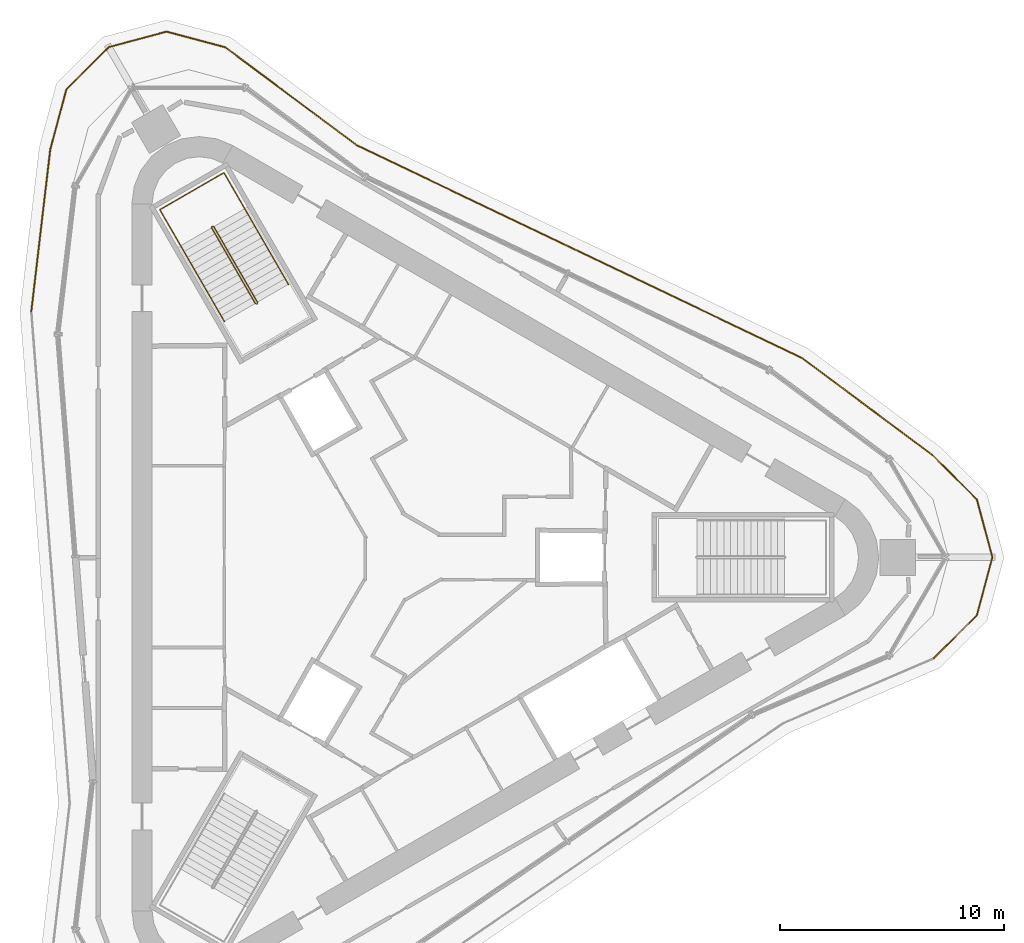
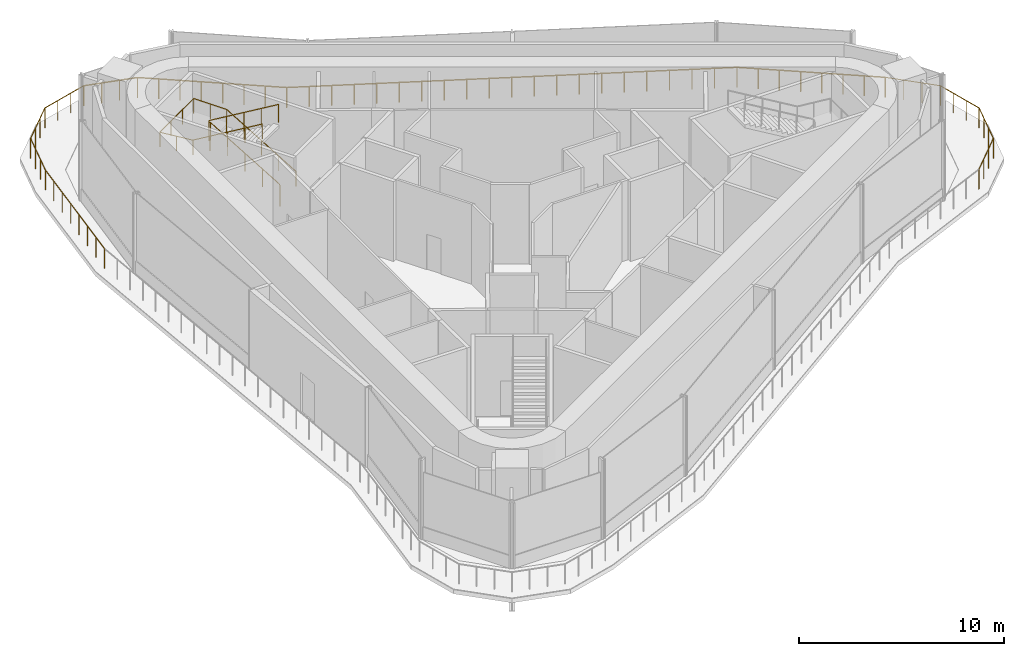
# One storey, part 9 of 9: 10 railings.
"""IFC4 building model written with IfcOpenShell, lengths in metres."""

from ifc_helpers import new_model, si_unit, direction, frame, origin, origin_2d, place, context, subcontext, project, spatial, circle, extrude, material, type_object, element, save


model = new_model("IFC4")

# Units and contexts
model_context = context("Model", 3, precision=1e-05, world=origin(), true_north=direction((0.0, 1.0)))
body_context = subcontext(model_context, "Body", "Model", "MODEL_VIEW")
ifc_project = project(units=[si_unit("LENGTHUNIT", "METRE"), si_unit("AREAUNIT", "SQUARE_METRE"), si_unit("VOLUMEUNIT", "CUBIC_METRE"), si_unit("PLANEANGLEUNIT", "RADIAN"), si_unit("MASSUNIT", "GRAM", prefix="KILO")], contexts=[model_context])

# Site, building, storey
site_placement = place(None, origin())
site = spatial("IfcSite", under=ifc_project, at=site_placement, CompositionType="ELEMENT")
building_placement = place(site_placement, origin())
building = spatial("IfcBuilding", under=site, at=building_placement, Name="Tanit Gate Tower", CompositionType="ELEMENT")
storey_placement = place(building_placement, frame((0.0, 0.0, 430.300048828125)))
storey = spatial("IfcBuildingStorey", under=building, at=storey_placement, Name="L97", CompositionType="ELEMENT", Elevation=430.300048828125)

# Railings
ifc_material_1 = material(Name="Stainless steel", Category="steel")
railing_type_1 = type_object("IfcRailingType", Name="Guard 1200 terrace balustrade", PredefinedType="GUARDRAIL", material=ifc_material_1)
railing_1_placement = place(storey_placement, frame((23.6171875, 4.54150390625, 0.0400390625)))
element("IfcRailing", 1, at=railing_1_placement, inside=storey, type_object=railing_type_1, Name="Terrace guard L97 1", PredefinedType="GUARDRAIL", context=body_context, shape_type="SweptSolid", body=[
    extrude(circle(Radius=0.02392578125, at=origin_2d()), frame((0.0, 0.0, 1.17578125), z_axis=(0.707106781187, -0.707106781187, 0.0), x_axis=(0.707106781187, 0.707106781187, 0.0)), (0.0, 0.0, 1.0), 2.77099609375),
    extrude(circle(Radius=0.02392578125, at=origin_2d()), frame((1.95947265625, -1.95947265625, 1.17578125), z_axis=(0.258748259402, -0.965944790481, 0.0), x_axis=(0.965944790481, 0.258748259402, 0.0)), (0.0, 0.0, 1.0), 2.673095703125),
    extrude(circle(Radius=0.02099609375, at=origin_2d()), origin(), (0.0, 0.0, 1.0), 1.15185546875),
    extrude(circle(Radius=0.02099609375, at=origin_2d()), frame((0.653076171875, -0.653076171875, 0.0)), (0.0, 0.0, 1.0), 1.15185546875),
    extrude(circle(Radius=0.02099609375, at=origin_2d()), frame((1.306396484375, -1.306396484375, 0.0)), (0.0, 0.0, 1.0), 1.15185546875),
    extrude(circle(Radius=0.02099609375, at=origin_2d()), frame((1.95947265625, -1.95947265625, 0.0)), (0.0, 0.0, 1.0), 1.15185546875),
    extrude(circle(Radius=0.02099609375, at=origin_2d()), frame((2.18994140625, -2.820068359375, 0.0)), (0.0, 0.0, 1.0), 1.15185546875),
    extrude(circle(Radius=0.02099609375, at=origin_2d()), frame((2.420654296875, -3.680908203125, 0.0)), (0.0, 0.0, 1.0), 1.15185546875),
    extrude(circle(Radius=0.02099609375, at=origin_2d()), frame((2.651123046875, -4.54150390625, 0.0)), (0.0, 0.0, 1.0), 1.15185546875),
])
railing_2_placement = place(storey_placement, frame((26.268310546875, 0.0, 0.0400390625)))
element("IfcRailing", 2, at=railing_2_placement, inside=storey, type_object=railing_type_1, Name="Terrace guard L97 1", PredefinedType="GUARDRAIL", context=body_context, shape_type="SweptSolid", body=[
    extrude(circle(Radius=0.02392578125, at=origin_2d()), frame((0.0, 0.0, 1.17578125), z_axis=(-0.258748259402, -0.965944790481, 0.0), x_axis=(0.965944790481, -0.258748259402, 0.0)), (0.0, 0.0, 1.0), 2.673095703125),
    extrude(circle(Radius=0.02392578125, at=origin_2d()), frame((-0.691650390625, -2.58203125, 1.17578125), z_axis=(-0.707106781187, -0.707106781187, 0.0), x_axis=(0.707106781187, -0.707106781187, 0.0)), (0.0, 0.0, 1.0), 2.711669921875),
    extrude(circle(Radius=0.02099609375, at=origin_2d()), origin(), (0.0, 0.0, 1.0), 1.15185546875),
    extrude(circle(Radius=0.02099609375, at=origin_2d()), frame((-0.23046875, -0.860595703125, 0.0)), (0.0, 0.0, 1.0), 1.15185546875),
    extrude(circle(Radius=0.02099609375, at=origin_2d()), frame((-0.461181640625, -1.721435546875, 0.0)), (0.0, 0.0, 1.0), 1.15185546875),
    extrude(circle(Radius=0.02099609375, at=origin_2d()), frame((-0.691650390625, -2.58203125, 0.0)), (0.0, 0.0, 1.0), 1.15185546875),
    extrude(circle(Radius=0.02099609375, at=origin_2d()), frame((-1.330810546875, -3.22119140625, 0.0)), (0.0, 0.0, 1.0), 1.15185546875),
    extrude(circle(Radius=0.02099609375, at=origin_2d()), frame((-1.969970703125, -3.8603515625, 0.0)), (0.0, 0.0, 1.0), 1.15185546875),
    extrude(circle(Radius=0.02099609375, at=origin_2d()), frame((-2.609130859375, -4.49951171875, 0.0)), (0.0, 0.0, 1.0), 1.15185546875),
])
railing_3_placement = place(storey_placement, frame((-16.587890625, 10.956298828125, 0.0400390625)))
element("IfcRailing", 3, at=railing_3_placement, inside=storey, type_object=railing_type_1, Name="Terrace guard L97 1", PredefinedType="GUARDRAIL", context=body_context, shape_type="SweptSolid", body=[
    extrude(circle(Radius=0.02392578125, at=origin_2d()), frame((0.0, 0.0, 1.17578125), z_axis=(0.116307758268, 0.993213222509, 0.0), x_axis=(-0.993213222509, 0.116307758268, 0.0)), (0.0, 0.0, 1.0), 7.275390625),
    extrude(circle(Radius=0.02392578125, at=origin_2d()), frame((0.84619140625, 7.22607421875, 1.17578125), z_axis=(0.258857928046, 0.965915406797, 0.0), x_axis=(-0.965915406797, 0.258857928046, 0.0)), (0.0, 0.0, 1.0), 2.77099609375),
    extrude(circle(Radius=0.02099609375, at=origin_2d()), origin(), (0.0, 0.0, 1.0), 1.15185546875),
    extrude(circle(Radius=0.02099609375, at=origin_2d()), frame((0.120849609375, 1.0322265625, 0.0)), (0.0, 0.0, 1.0), 1.15185546875),
    extrude(circle(Radius=0.02099609375, at=origin_2d()), frame((0.24169921875, 2.064697265625, 0.0)), (0.0, 0.0, 1.0), 1.15185546875),
    extrude(circle(Radius=0.02099609375, at=origin_2d()), frame((0.362548828125, 3.096923828125, 0.0)), (0.0, 0.0, 1.0), 1.15185546875),
    extrude(circle(Radius=0.02099609375, at=origin_2d()), frame((0.483642578125, 4.129150390625, 0.0)), (0.0, 0.0, 1.0), 1.15185546875),
    extrude(circle(Radius=0.02099609375, at=origin_2d()), frame((0.6044921875, 5.161376953125, 0.0)), (0.0, 0.0, 1.0), 1.15185546875),
    extrude(circle(Radius=0.02099609375, at=origin_2d()), frame((0.725341796875, 6.19384765625, 0.0)), (0.0, 0.0, 1.0), 1.15185546875),
    extrude(circle(Radius=0.02099609375, at=origin_2d()), frame((0.84619140625, 7.22607421875, 0.0)), (0.0, 0.0, 1.0), 1.15185546875),
    extrude(circle(Radius=0.02099609375, at=origin_2d()), frame((1.085205078125, 8.1181640625, 0.0)), (0.0, 0.0, 1.0), 1.15185546875),
    extrude(circle(Radius=0.02099609375, at=origin_2d()), frame((1.324462890625, 9.010498046875, 0.0)), (0.0, 0.0, 1.0), 1.15185546875),
    extrude(circle(Radius=0.02099609375, at=origin_2d()), frame((1.5634765625, 9.902587890625, 0.0)), (0.0, 0.0, 1.0), 1.15185546875),
])
railing_4_placement = place(storey_placement, frame((-15.0244140625, 20.85888671875, 0.0400390625)))
element("IfcRailing", 4, at=railing_4_placement, inside=storey, type_object=railing_type_1, Name="Terrace guard L97 1", PredefinedType="GUARDRAIL", context=body_context, shape_type="SweptSolid", body=[
    extrude(circle(Radius=0.02392578125, at=origin_2d()), frame((0.0, 0.0, 1.17578125), z_axis=(0.707106781187, 0.707106781187, 0.0), x_axis=(-0.707106781187, 0.707106781187, 0.0)), (0.0, 0.0, 1.0), 2.673095703125),
    extrude(circle(Radius=0.02392578125, at=origin_2d()), frame((1.89013671875, 1.89013671875, 1.17578125), z_axis=(0.965928077566, 0.258810643077, 0.0), x_axis=(-0.258810643077, 0.965928077566, 0.0)), (0.0, 0.0, 1.0), 2.67333984375),
    extrude(circle(Radius=0.02099609375, at=origin_2d()), origin(), (0.0, 0.0, 1.0), 1.15185546875),
    extrude(circle(Radius=0.02099609375, at=origin_2d()), frame((0.630126953125, 0.630126953125, 0.0)), (0.0, 0.0, 1.0), 1.15185546875),
    extrude(circle(Radius=0.02099609375, at=origin_2d()), frame((1.260009765625, 1.260009765625, 0.0)), (0.0, 0.0, 1.0), 1.15185546875),
    extrude(circle(Radius=0.02099609375, at=origin_2d()), frame((1.89013671875, 1.89013671875, 0.0)), (0.0, 0.0, 1.0), 1.15185546875),
    extrude(circle(Radius=0.02099609375, at=origin_2d()), frame((2.7509765625, 2.120849609375, 0.0)), (0.0, 0.0, 1.0), 1.15185546875),
    extrude(circle(Radius=0.02099609375, at=origin_2d()), frame((3.611572265625, 2.351318359375, 0.0)), (0.0, 0.0, 1.0), 1.15185546875),
    extrude(circle(Radius=0.02099609375, at=origin_2d()), frame((4.472412109375, 2.58203125, 0.0)), (0.0, 0.0, 1.0), 1.15185546875),
])
railing_5_placement = place(storey_placement, frame((-10.552001953125, 23.44091796875, 0.0400390625)))
element("IfcRailing", 5, at=railing_5_placement, inside=storey, type_object=railing_type_1, Name="Terrace guard L97 1", PredefinedType="GUARDRAIL", context=body_context, shape_type="SweptSolid", body=[
    extrude(circle(Radius=0.02392578125, at=origin_2d()), frame((0.0, 0.0, 1.17578125), z_axis=(0.965932376599, -0.258794597776, 0.0), x_axis=(0.258794597776, 0.965932376599, 0.0)), (0.0, 0.0, 1.0), 2.711181640625),
    extrude(circle(Radius=0.02392578125, at=origin_2d()), frame((2.618896484375, -0.70166015625, 1.17578125), z_axis=(0.801978462768, -0.597352948646, 0.0), x_axis=(0.597352948646, 0.801978462768, 0.0)), (0.0, 0.0, 1.0), 7.313720703125),
    extrude(circle(Radius=0.02099609375, at=origin_2d()), origin(), (0.0, 0.0, 1.0), 1.15185546875),
    extrude(circle(Radius=0.02099609375, at=origin_2d()), frame((0.873046875, -0.23388671875, 0.0)), (0.0, 0.0, 1.0), 1.15185546875),
    extrude(circle(Radius=0.02099609375, at=origin_2d()), frame((1.745849609375, -0.4677734375, 0.0)), (0.0, 0.0, 1.0), 1.15185546875),
    extrude(circle(Radius=0.02099609375, at=origin_2d()), frame((2.618896484375, -0.70166015625, 0.0)), (0.0, 0.0, 1.0), 1.15185546875),
    extrude(circle(Radius=0.02099609375, at=origin_2d()), frame((3.456787109375, -1.32568359375, 0.0)), (0.0, 0.0, 1.0), 1.15185546875),
    extrude(circle(Radius=0.02099609375, at=origin_2d()), frame((4.294677734375, -1.949951171875, 0.0)), (0.0, 0.0, 1.0), 1.15185546875),
    extrude(circle(Radius=0.02099609375, at=origin_2d()), frame((5.132568359375, -2.573974609375, 0.0)), (0.0, 0.0, 1.0), 1.15185546875),
    extrude(circle(Radius=0.02099609375, at=origin_2d()), frame((5.970703125, -3.1982421875, 0.0)), (0.0, 0.0, 1.0), 1.15185546875),
    extrude(circle(Radius=0.02099609375, at=origin_2d()), frame((6.80859375, -3.822265625, 0.0)), (0.0, 0.0, 1.0), 1.15185546875),
    extrude(circle(Radius=0.02099609375, at=origin_2d()), frame((7.646484375, -4.446533203125, 0.0)), (0.0, 0.0, 1.0), 1.15185546875),
    extrude(circle(Radius=0.02099609375, at=origin_2d()), frame((8.484375, -5.070556640625, 0.0)), (0.0, 0.0, 1.0), 1.15185546875),
])
for number, where, name in (
    (6, (-2.067626953125, 18.370361328125, 0.0400390625), "Terrace guard L97 1"),
    (7, (7.857421875, 13.62890625, 0.0400390625), "Terrace guard L97 1"),
):
    element("IfcRailing", number, at=place(storey_placement, frame(where)), inside=storey, type_object=railing_type_1, Name=name, PredefinedType="GUARDRAIL", context=body_context, shape_type="SweptSolid", body=[
        extrude(circle(Radius=0.02392578125, at=origin_2d()), frame((0.0, 0.0, 1.17578125), z_axis=(0.902321945968, -0.431062763207, 0.0), x_axis=(0.431062763207, 0.902321945968, 0.0)), (0.0, 0.0, 1.0), 10.99951171875),
        extrude(circle(Radius=0.02099609375, at=origin_2d()), origin(), (0.0, 0.0, 1.0), 1.15185546875),
        extrude(circle(Radius=0.02099609375, at=origin_2d()), frame((0.992431640625, -0.47412109375, 0.0)), (0.0, 0.0, 1.0), 1.15185546875),
        extrude(circle(Radius=0.02099609375, at=origin_2d()), frame((1.985107421875, -0.9482421875, 0.0)), (0.0, 0.0, 1.0), 1.15185546875),
        extrude(circle(Radius=0.02099609375, at=origin_2d()), frame((2.9775390625, -1.42236328125, 0.0)), (0.0, 0.0, 1.0), 1.15185546875),
        extrude(circle(Radius=0.02099609375, at=origin_2d()), frame((3.969970703125, -1.896484375, 0.0)), (0.0, 0.0, 1.0), 1.15185546875),
        extrude(circle(Radius=0.02099609375, at=origin_2d()), frame((4.96240234375, -2.37060546875, 0.0)), (0.0, 0.0, 1.0), 1.15185546875),
        extrude(circle(Radius=0.02099609375, at=origin_2d()), frame((5.955078125, -2.844970703125, 0.0)), (0.0, 0.0, 1.0), 1.15185546875),
        extrude(circle(Radius=0.02099609375, at=origin_2d()), frame((6.947509765625, -3.319091796875, 0.0)), (0.0, 0.0, 1.0), 1.15185546875),
        extrude(circle(Radius=0.02099609375, at=origin_2d()), frame((7.93994140625, -3.793212890625, 0.0)), (0.0, 0.0, 1.0), 1.15185546875),
        extrude(circle(Radius=0.02099609375, at=origin_2d()), frame((8.9326171875, -4.267333984375, 0.0)), (0.0, 0.0, 1.0), 1.15185546875),
        extrude(circle(Radius=0.02099609375, at=origin_2d()), frame((9.925048828125, -4.741455078125, 0.0)), (0.0, 0.0, 1.0), 1.15185546875),
    ])
railing_6_placement = place(storey_placement, frame((17.782470703125, 8.887451171875, 0.0400390625)))
element("IfcRailing", 8, at=railing_6_placement, inside=storey, type_object=railing_type_1, Name="Terrace guard L97 1", PredefinedType="GUARDRAIL", context=body_context, shape_type="SweptSolid", body=[
    extrude(circle(Radius=0.02392578125, at=origin_2d()), frame((0.0, 0.0, 1.17578125), z_axis=(0.801980858269, -0.597349732543, 0.0), x_axis=(0.597349732543, 0.801980858269, 0.0)), (0.0, 0.0, 1.0), 7.275390625),
    extrude(circle(Radius=0.02099609375, at=origin_2d()), origin(), (0.0, 0.0, 1.0), 1.15185546875),
    extrude(circle(Radius=0.02099609375, at=origin_2d()), frame((0.83349609375, -0.620849609375, 0.0)), (0.0, 0.0, 1.0), 1.15185546875),
    extrude(circle(Radius=0.02099609375, at=origin_2d()), frame((1.6669921875, -1.24169921875, 0.0)), (0.0, 0.0, 1.0), 1.15185546875),
    extrude(circle(Radius=0.02099609375, at=origin_2d()), frame((2.50048828125, -1.862548828125, 0.0)), (0.0, 0.0, 1.0), 1.15185546875),
    extrude(circle(Radius=0.02099609375, at=origin_2d()), frame((3.334228515625, -2.4833984375, 0.0)), (0.0, 0.0, 1.0), 1.15185546875),
    extrude(circle(Radius=0.02099609375, at=origin_2d()), frame((4.167724609375, -3.104248046875, 0.0)), (0.0, 0.0, 1.0), 1.15185546875),
    extrude(circle(Radius=0.02099609375, at=origin_2d()), frame((5.001220703125, -3.72509765625, 0.0)), (0.0, 0.0, 1.0), 1.15185546875),
    extrude(circle(Radius=0.02099609375, at=origin_2d()), frame((5.834716796875, -4.345947265625, 0.0)), (0.0, 0.0, 1.0), 1.15185546875),
])
ifc_material_2 = material(Name="Stainless steel balustrade", Category="steel")
railing_type_2 = type_object("IfcRailingType", Name="INT-STAIR-GUARD", PredefinedType="GUARDRAIL", material=ifc_material_2)
railing_7_placement = place(storey_placement, frame((-6.527099609375, 11.29345703125, 0.0)))
element("IfcRailing", 9, at=railing_7_placement, inside=storey, type_object=railing_type_2, Name="L97 S2 stair guard 1", PredefinedType="GUARDRAIL", context=body_context, shape_type="SweptSolid", body=[
    extrude(circle(Radius=0.02392578125, at=origin_2d()), frame((0.0, 0.0, 1.076171875), z_axis=(0.868243142124, 0.496138938357, 0.0), x_axis=(-0.496138938357, 0.868243142124, 0.0)), (0.0, 0.0, 1.0), 0.01171875),
    extrude(circle(Radius=0.02392578125, at=origin_2d()), frame((0.01025390625, 0.005859375, 1.076171875), z_axis=(0.095374316588, 0.356064115262, 0.929581672344), x_axis=(-0.965948051503, 0.258736085224, 0.0)), (0.0, 0.0, 1.0), 0.19189453125),
    extrude(circle(Radius=0.02392578125, at=origin_2d()), frame((0.028564453125, 0.07421875, 1.25439453125), z_axis=(-0.429636665928, 0.744158462057, 0.511508082673), x_axis=(-0.866027128446, -0.499997012787, 0.0)), (0.0, 0.0, 1.0), 4.53857421875),
    extrude(circle(Radius=0.02392578125, at=origin_2d()), frame((-1.92138671875, 3.45166015625, 3.576171875), z_axis=(-0.965948051503, 0.258736085224, 0.0), x_axis=(-0.258736085224, -0.965948051503, 0.0)), (0.0, 0.0, 1.0), 0.07080078125),
    extrude(circle(Radius=0.02392578125, at=origin_2d()), frame((-1.98974609375, 3.469970703125, 3.576171875), z_axis=(-0.868243142124, -0.496138938357, 0.0), x_axis=(0.496138938357, -0.868243142124, 0.0)), (0.0, 0.0, 1.0), 0.01171875),
    extrude(circle(Radius=0.02392578125, at=origin_2d()), frame((-2.0, 3.464111328125, 3.576171875), z_axis=(-0.095374316588, -0.356064115262, 0.929581672344), x_axis=(0.965948051503, -0.258736085224, 0.0)), (0.0, 0.0, 1.0), 0.19189453125),
    extrude(circle(Radius=0.02392578125, at=origin_2d()), frame((-2.018310546875, 3.395751953125, 3.75439453125), z_axis=(0.429636665928, -0.744158462057, 0.511508082673), x_axis=(0.866027128446, 0.499997012787, 0.0)), (0.0, 0.0, 1.0), 4.53857421875),
    extrude(circle(Radius=0.02099609375, at=origin_2d()), origin(), (0.0, 0.0, 1.0), 1.052001953125),
    extrude(circle(Radius=0.02099609375, at=origin_2d()), frame((0.01025390625, 0.005859375, 0.0)), (0.0, 0.0, 1.0), 1.052001953125),
    extrude(circle(Radius=0.02099609375, at=origin_2d()), frame((0.028564453125, 0.07421875, 0.178466796875)), (0.0, 0.0, 1.0), 1.052001953125),
    extrude(circle(Radius=0.02099609375, at=origin_2d()), frame((-0.458984375, 0.91845703125, 0.7587890625)), (0.0, 0.0, 1.0), 1.052001953125),
    extrude(circle(Radius=0.02099609375, at=origin_2d()), frame((-0.9462890625, 1.762939453125, 1.33935546875)), (0.0, 0.0, 1.0), 1.052001953125),
    extrude(circle(Radius=0.02099609375, at=origin_2d()), frame((-1.433837890625, 2.607421875, 1.919677734375)), (0.0, 0.0, 1.0), 1.052001953125),
    extrude(circle(Radius=0.02099609375, at=origin_2d()), frame((-1.92138671875, 3.45166015625, 2.5)), (0.0, 0.0, 1.0), 1.052001953125),
    extrude(circle(Radius=0.02099609375, at=origin_2d()), frame((-1.98974609375, 3.469970703125, 2.5)), (0.0, 0.0, 1.0), 1.052001953125),
    extrude(circle(Radius=0.02099609375, at=origin_2d()), frame((-2.0, 3.464111328125, 2.5)), (0.0, 0.0, 1.0), 1.052001953125),
    extrude(circle(Radius=0.02099609375, at=origin_2d()), frame((-2.018310546875, 3.395751953125, 2.678466796875)), (0.0, 0.0, 1.0), 1.052001953125),
    extrude(circle(Radius=0.02099609375, at=origin_2d()), frame((-1.53076171875, 2.55126953125, 3.2587890625)), (0.0, 0.0, 1.0), 1.052001953125),
    extrude(circle(Radius=0.02099609375, at=origin_2d()), frame((-1.04345703125, 1.70703125, 3.83935546875)), (0.0, 0.0, 1.0), 1.052001953125),
    extrude(circle(Radius=0.02099609375, at=origin_2d()), frame((-0.555908203125, 0.86279296875, 4.419677734375)), (0.0, 0.0, 1.0), 1.052001953125),
    extrude(circle(Radius=0.02099609375, at=origin_2d()), frame((-0.068359375, 0.018310546875, 5.0)), (0.0, 0.0, 1.0), 1.052001953125),
])
ifc_material_3 = material(Name="Stainless steel handrail", Category="steel")
railing_type_3 = type_object("IfcRailingType", Name="INT-STAIR-HANDRAIL", PredefinedType="HANDRAIL", material=ifc_material_3)
railing_8_placement = place(storey_placement, frame((-5.1181640625, 12.164794921875, 0.178466796875)))
element("IfcRailing", 10, at=railing_8_placement, inside=storey, type_object=railing_type_3, Name="L97 S2 stair handrail 1", PredefinedType="HANDRAIL", context=body_context, shape_type="SweptSolid", body=[
    extrude(circle(Radius=0.02392578125, at=origin_2d()), frame((0.0, 0.0, 0.8759765625), z_axis=(-0.429636665928, 0.744158462057, 0.511508082673), x_axis=(-0.866027128446, -0.499997012787, 0.0)), (0.0, 0.0, 1.0), 4.53857421875),
    extrude(circle(Radius=0.02392578125, at=origin_2d()), frame((-1.949951171875, 3.37744140625, 3.197265625), z_axis=(-0.499972951856, 0.866041019474, 0.0), x_axis=(-0.866041019474, -0.499972951856, 0.0)), (0.0, 0.0, 1.0), 1.85595703125),
    extrude(circle(Radius=0.02392578125, at=origin_2d()), frame((-2.8779296875, 4.98486328125, 3.197265625), z_axis=(-0.866008176907, -0.50002983664, 0.0), x_axis=(0.50002983664, -0.866008176907, 0.0)), (0.0, 0.0, 1.0), 3.300048828125),
    extrude(circle(Radius=0.02392578125, at=origin_2d()), frame((-5.73583984375, 3.334716796875, 3.197265625), z_axis=(0.497733776972, -0.862031426942, 0.095723070499), x_axis=(0.866008133109, 0.500029912494, 0.0)), (0.0, 0.0, 1.0), 1.864501953125),
    extrude(circle(Radius=0.02392578125, at=origin_2d()), frame((-4.807861328125, 1.7275390625, 3.3759765625), z_axis=(0.429663328258, -0.744165266205, 0.511475787231), x_axis=(0.866015672276, 0.500016855088, 0.0)), (0.0, 0.0, 1.0), 4.538818359375),
    extrude(circle(Radius=0.02099609375, at=origin_2d()), origin(), (0.0, 0.0, 1.0), 0.851806640625),
    extrude(circle(Radius=0.02099609375, at=origin_2d()), frame((-0.487548828125, 0.84423828125, 0.580322265625)), (0.0, 0.0, 1.0), 0.851806640625),
    extrude(circle(Radius=0.02099609375, at=origin_2d()), frame((-0.97509765625, 1.688720703125, 1.16064453125)), (0.0, 0.0, 1.0), 0.851806640625),
    extrude(circle(Radius=0.02099609375, at=origin_2d()), frame((-1.46240234375, 2.533203125, 1.7412109375)), (0.0, 0.0, 1.0), 0.851806640625),
    extrude(circle(Radius=0.02099609375, at=origin_2d()), frame((-1.949951171875, 3.37744140625, 2.321533203125)), (0.0, 0.0, 1.0), 0.851806640625),
    extrude(circle(Radius=0.02099609375, at=origin_2d()), frame((-2.4140625, 4.18115234375, 2.321533203125)), (0.0, 0.0, 1.0), 0.851806640625),
    extrude(circle(Radius=0.02099609375, at=origin_2d()), frame((-2.8779296875, 4.98486328125, 2.321533203125)), (0.0, 0.0, 1.0), 0.851806640625),
    extrude(circle(Radius=0.02099609375, at=origin_2d()), frame((-3.83056640625, 4.434814453125, 2.321533203125)), (0.0, 0.0, 1.0), 0.851806640625),
    extrude(circle(Radius=0.02099609375, at=origin_2d()), frame((-4.783203125, 3.884765625, 2.321533203125)), (0.0, 0.0, 1.0), 0.851806640625),
    extrude(circle(Radius=0.02099609375, at=origin_2d()), frame((-5.73583984375, 3.334716796875, 2.321533203125)), (0.0, 0.0, 1.0), 0.851806640625),
    extrude(circle(Radius=0.02099609375, at=origin_2d()), frame((-5.27197265625, 2.53125, 2.41064453125)), (0.0, 0.0, 1.0), 0.851806640625),
    extrude(circle(Radius=0.02099609375, at=origin_2d()), frame((-4.807861328125, 1.7275390625, 2.5)), (0.0, 0.0, 1.0), 0.851806640625),
    extrude(circle(Radius=0.02099609375, at=origin_2d()), frame((-4.3203125, 0.883056640625, 3.080322265625)), (0.0, 0.0, 1.0), 0.851806640625),
    extrude(circle(Radius=0.02099609375, at=origin_2d()), frame((-3.832763671875, 0.03857421875, 3.66064453125)), (0.0, 0.0, 1.0), 0.851806640625),
    extrude(circle(Radius=0.02099609375, at=origin_2d()), frame((-3.34521484375, -0.8056640625, 4.2412109375)), (0.0, 0.0, 1.0), 0.851806640625),
    extrude(circle(Radius=0.02099609375, at=origin_2d()), frame((-2.857666015625, -1.650146484375, 4.821533203125)), (0.0, 0.0, 1.0), 0.851806640625),
])

save(model, "model.ifc")
